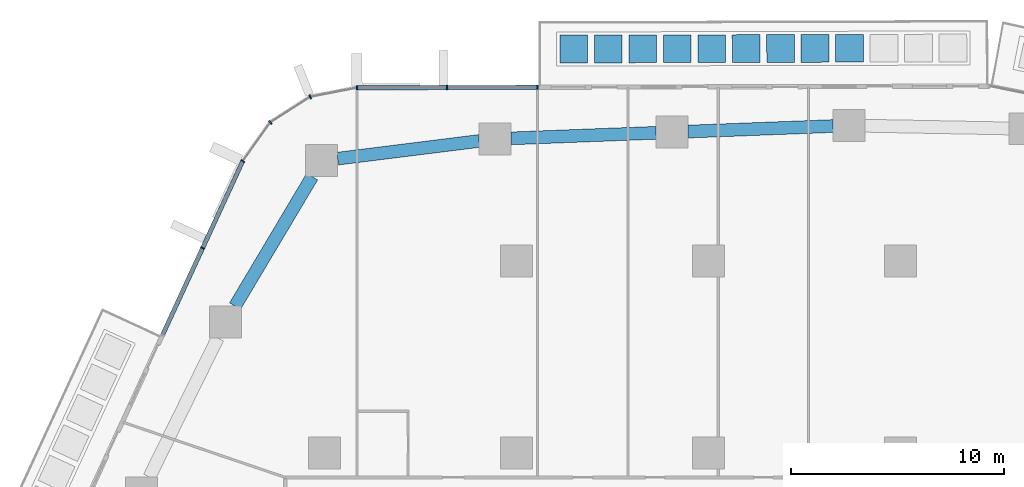
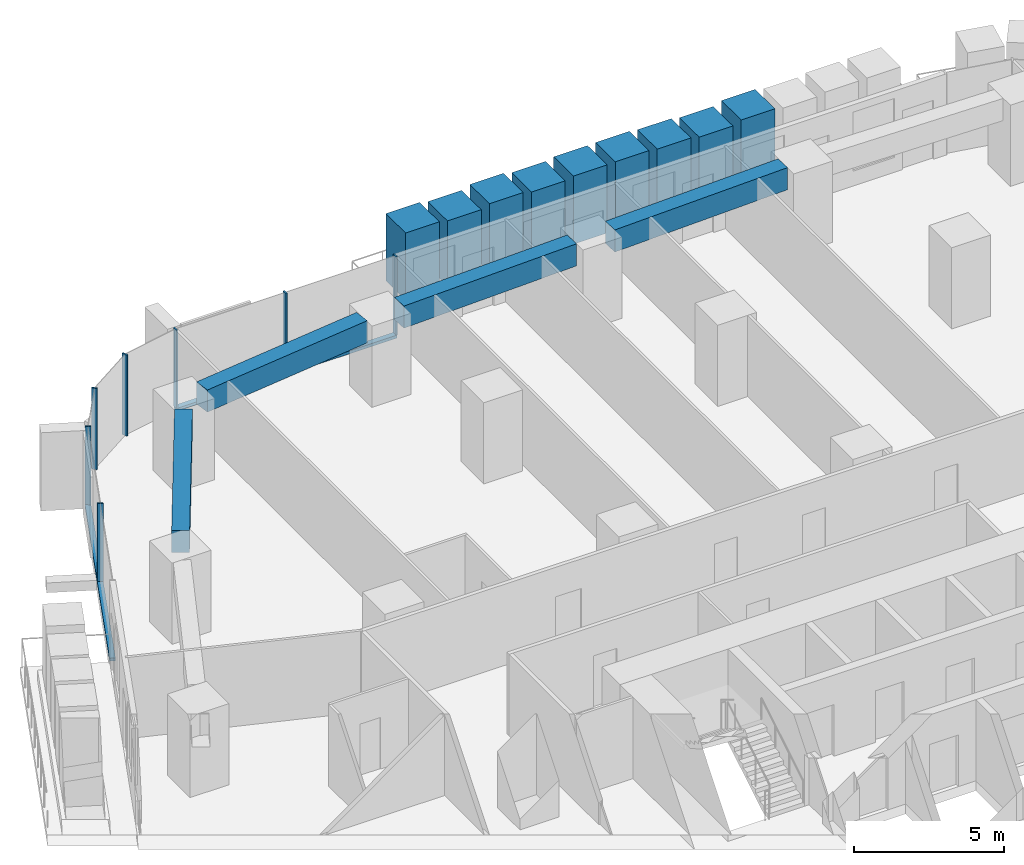
# One storey, part 9 of 27: 18 members, 4 beams, 3 elements without a shape of their own.
"""IFC4 building model written with IfcOpenShell, lengths in metres."""

from ifc_helpers import new_model, si_unit, direction, frame, origin, origin_2d, place, context, subcontext, project, spatial, rectangle, extrude, material, layer, layer_set, material_profile, profile_set, type_object, element, aggregate, save


model = new_model("IFC4")

# Units and contexts
model_context = context("Model", 3, precision=1e-05, world=origin(), true_north=direction((0.0, 1.0)))
body_context = subcontext(model_context, "Body", "Model", "MODEL_VIEW")
ifc_project = project(units=[si_unit("LENGTHUNIT", "METRE"), si_unit("AREAUNIT", "SQUARE_METRE"), si_unit("VOLUMEUNIT", "CUBIC_METRE"), si_unit("PLANEANGLEUNIT", "RADIAN"), si_unit("MASSUNIT", "GRAM", prefix="KILO")], contexts=[model_context])

# Site, building, storey
site_placement = place(None, origin())
site = spatial("IfcSite", under=ifc_project, at=site_placement, CompositionType="ELEMENT")
building_placement = place(site_placement, origin())
building = spatial("IfcBuilding", under=site, at=building_placement, Name="Dongbaek Canopy Tower", CompositionType="ELEMENT")
storey_placement = place(building_placement, frame((0.0, 0.0, 58.800048828125)))
storey = spatial("IfcBuildingStorey", under=building, at=storey_placement, Name="L10", CompositionType="ELEMENT", Elevation=58.800048828125)

# Curtain wall, members
ifc_material_1 = material(Name="Aluminium 6063-T6 pale anodised", Category="aluminium")
ifc_layer = layer(ifc_material_1, 0.199951171875)
ifc_layer_set = layer_set([ifc_layer], Name="CW-1 unitised tower curtain wall")
curtain_wall_type = type_object("IfcCurtainWallType", Name="CW-1 unitised tower curtain wall", PredefinedType="NOTDEFINED", material=ifc_layer_set)
curtain_wall_1_placement = place(storey_placement, origin())
curtain_wall_1 = element("IfcCurtainWall", 1, at=curtain_wall_1_placement, inside=storey, type_object=curtain_wall_type, Name="CW-1 curtain wall F1.1", PredefinedType="NOTDEFINED")
ifc_material_2 = material(Name="Aluminium 6063-T6 pale anodised", Category="aluminium")
ifc_material_profile_1 = material_profile(ifc_material_2, rectangle(XDim=0.199951171875, YDim=0.06005859375, at=origin_2d()), Name="CW-1 mullion 60 x 200")
ifc_profile_set_1 = profile_set([ifc_material_profile_1], Name="Aluminium 6063-T6 pale anodised")
member_type_1 = type_object("IfcMemberType", Name="CW-1 mullion 60 x 200", PredefinedType="MULLION", material=ifc_profile_set_1)
member_1_placement = place(storey_placement, frame((-8.0205078125, 35.13623046875, 0.119873046875), z_axis=(0.0, 0.0, 1.0), x_axis=(-0.002665570299, 0.999996447361, 0.0)))
member_1 = element("IfcMember", 2, at=member_1_placement, type_object=member_type_1, Name="CW-1 mullion F1.1.1", PredefinedType="MULLION", context=body_context, shape_type="SweptSolid", body=[
    extrude(rectangle(XDim=0.199951171875, YDim=0.06005859375, at=origin_2d()), origin(), (0.0, 0.0, 1.0), 3.18017578125),
])
member_2_placement = place(storey_placement, frame((-12.258056640625, 35.124755859375, 0.119873046875), z_axis=(0.0, 0.0, 1.0), x_axis=(-0.002665570299, 0.999996447361, 0.0)))
member_2 = element("IfcMember", 3, at=member_2_placement, type_object=member_type_1, Name="CW-1 mullion F1.1.2", PredefinedType="MULLION", context=body_context, shape_type="SweptSolid", body=[
    extrude(rectangle(XDim=0.199951171875, YDim=0.06005859375, at=origin_2d()), origin(), (0.0, 0.0, 1.0), 3.18017578125),
])
member_3_placement = place(storey_placement, frame((-16.486083984375, 35.113525390625, 0.119873046875), z_axis=(0.0, 0.0, 1.0), x_axis=(-0.002665570299, 0.999996447361, 0.0)))
member_3 = element("IfcMember", 4, at=member_3_placement, type_object=member_type_1, Name="CW-1 mullion F1.1.3", PredefinedType="MULLION", context=body_context, shape_type="SweptSolid", body=[
    extrude(rectangle(XDim=0.199951171875, YDim=0.06005859375, at=origin_2d()), origin(), (0.0, 0.0, 1.0), 3.18017578125),
])

curtain_wall_2_placement = place(storey_placement, origin())
curtain_wall_2 = element("IfcCurtainWall", 5, at=curtain_wall_2_placement, inside=storey, type_object=curtain_wall_type, Name="CW-1 curtain wall K2.1", PredefinedType="NOTDEFINED")
member_4_placement = place(storey_placement, frame((-18.6748046875, 34.68798828125, 0.0), z_axis=(0.0, 0.0, 1.0), x_axis=(-0.372155776445, 0.928170285055, 0.0)))
member_4 = element("IfcMember", 6, at=member_4_placement, type_object=member_type_1, Name="CW-1 mullion K2.1.2", PredefinedType="MULLION", context=body_context, shape_type="SweptSolid", body=[
    extrude(rectangle(XDim=0.199951171875, YDim=0.06005859375, at=origin_2d()), origin(), (0.0, 0.0, 1.0), 3.300048828125),
])
member_5_placement = place(storey_placement, frame((-20.543212890625, 33.48876953125, 0.0), z_axis=(0.0, 0.0, 1.0), x_axis=(-0.688918204153, 0.7248390911, 0.0)))
member_5 = element("IfcMember", 7, at=member_5_placement, type_object=member_type_1, Name="CW-1 mullion K2.1.3", PredefinedType="MULLION", context=body_context, shape_type="SweptSolid", body=[
    extrude(rectangle(XDim=0.199951171875, YDim=0.06005859375, at=origin_2d()), origin(), (0.0, 0.0, 1.0), 3.300048828125),
])
member_6_placement = place(storey_placement, frame((-21.84130859375, 31.676025390625, 0.0), z_axis=(0.0, 0.0, 1.0), x_axis=(-0.813024440327, 0.58222955905, 0.0)))
member_6 = element("IfcMember", 8, at=member_6_placement, type_object=member_type_1, Name="CW-1 mullion K2.1.4", PredefinedType="MULLION", context=body_context, shape_type="SweptSolid", body=[
    extrude(rectangle(XDim=0.199951171875, YDim=0.06005859375, at=origin_2d()), origin(), (0.0, 0.0, 1.0), 3.300048828125),
])
aggregate(curtain_wall_2, [member_4, member_5, member_6])

# Curtain wall, member
curtain_wall_3_placement = place(storey_placement, origin())
curtain_wall_3 = element("IfcCurtainWall", 9, at=curtain_wall_3_placement, inside=storey, type_object=curtain_wall_type, Name="CW-1 curtain wall F2.1", PredefinedType="NOTDEFINED")
member_7_placement = place(storey_placement, frame((-23.71923828125, 27.604248046875, 0.119873046875), z_axis=(0.0, 0.0, 1.0), x_axis=(-0.908073315942, 0.418811237761, 0.0)))
member_7 = element("IfcMember", 10, at=member_7_placement, type_object=member_type_1, Name="CW-1 mullion F2.1.2", PredefinedType="MULLION", context=body_context, shape_type="SweptSolid", body=[
    extrude(rectangle(XDim=0.199951171875, YDim=0.06005859375, at=origin_2d()), origin(), (0.0, 0.0, 1.0), 3.18017578125),
])

# Member
ifc_material_3 = material(Name="Aluminium 6063-T6 pale anodised", Category="aluminium")
ifc_material_profile_2 = material_profile(ifc_material_3, rectangle(XDim=0.199951171875, YDim=0.1201171875, at=origin_2d()), Name="CW-1 transom 120 x 200")
ifc_profile_set_2 = profile_set([ifc_material_profile_2], Name="Aluminium 6063-T6 pale anodised")
member_type_2 = type_object("IfcMemberType", Name="CW-1 transom 120 x 200", PredefinedType="USERDEFINED", material=ifc_profile_set_2)
member_8_placement = place(storey_placement, frame((-8.0205078125, 35.13623046875, 0.06005859375), z_axis=(-0.99999640333, -0.002682037938, 0.0), x_axis=(0.002682037938, -0.99999640333, 0.0)))
member_8 = element("IfcMember", 11, at=member_8_placement, type_object=member_type_2, Name="CW-1 transom F1.1.1", ObjectType="TRANSOM", PredefinedType="USERDEFINED", context=body_context, shape_type="SweptSolid", body=[
    extrude(rectangle(XDim=0.199951171875, YDim=0.1201171875, at=origin_2d()), origin(), (0.0, 0.0, 1.0), 8.465576171875),
])

aggregate(curtain_wall_1, [member_1, member_2, member_3, member_8])

member_9_placement = place(storey_placement, frame((-21.84130859375, 31.676025390625, 0.06005859375), z_axis=(-0.418816716201, -0.908070789218, 0.0), x_axis=(0.908070789218, -0.418816716201, 0.0)))
member_9 = element("IfcMember", 12, at=member_9_placement, type_object=member_type_2, Name="CW-1 transom F2.1.1", ObjectType="TRANSOM", PredefinedType="USERDEFINED", context=body_context, shape_type="SweptSolid", body=[
    extrude(rectangle(XDim=0.199951171875, YDim=0.1201171875, at=origin_2d()), origin(), (0.0, 0.0, 1.0), 8.97705078125),
])

aggregate(curtain_wall_3, [member_7, member_9])

# Beams
ifc_material_4 = material(Name="Concrete C80", Category="concrete")
ifc_material_profile_3 = material_profile(ifc_material_4, rectangle(XDim=0.60009765625, YDim=0.89990234375, at=origin_2d()), Name="RC EDGE BEAM 600x900 C80")
ifc_profile_set_3 = profile_set([ifc_material_profile_3], Name="Concrete C80")
beam_type = type_object("IfcBeamType", Name="RC EDGE BEAM 600x900 C80", PredefinedType="BEAM", material=ifc_profile_set_3)
beam_1_placement = place(storey_placement, frame((-22.201416015625, 24.875, 2.849853515625), z_axis=(0.511536684445, 0.859261438951, 0.0), x_axis=(-0.859261438951, 0.511536684445, 0.0)))
element("IfcBeam", 13, at=beam_1_placement, inside=storey, type_object=beam_type, Name="EDGEBEAM:L10:12", PredefinedType="BEAM", context=body_context, shape_type="SweptSolid", body=[
    extrude(rectangle(XDim=0.60009765625, YDim=0.89990234375, at=origin_2d()), origin(), (0.0, 0.0, 1.0), 7.06884765625),
])
beam_2_placement = place(storey_placement, frame((-17.388916015625, 31.79248046875, 2.849853515625), z_axis=(0.992300337098, 0.123854919137, 0.0), x_axis=(-0.123854919137, 0.992300337098, 0.0)))
element("IfcBeam", 14, at=beam_2_placement, inside=storey, type_object=beam_type, Name="EDGEBEAM:L10:13", PredefinedType="BEAM", context=body_context, shape_type="SweptSolid", body=[
    extrude(rectangle(XDim=0.60009765625, YDim=0.89990234375, at=origin_2d()), origin(), (0.0, 0.0, 1.0), 6.684326171875),
])
beam_3_placement = place(storey_placement, frame((-9.256103515625, 32.74267578125, 2.849853515625), z_axis=(0.999265250645, 0.038326999019, 0.0), x_axis=(-0.038326999019, 0.999265250645, 0.0)))
element("IfcBeam", 15, at=beam_3_placement, inside=storey, type_object=beam_type, Name="EDGEBEAM:L10:14", PredefinedType="BEAM", context=body_context, shape_type="SweptSolid", body=[
    extrude(rectangle(XDim=0.60009765625, YDim=0.89990234375, at=origin_2d()), origin(), (0.0, 0.0, 1.0), 6.802978515625),
])
beam_4_placement = place(storey_placement, frame((-0.9580078125, 33.060791015625, 2.849853515625), z_axis=(0.99927189778, 0.038153300073, 0.0), x_axis=(-0.038153300073, 0.99927189778, 0.0)))
element("IfcBeam", 16, at=beam_4_placement, inside=storey, type_object=beam_type, Name="EDGEBEAM:L10:15", PredefinedType="BEAM", context=body_context, shape_type="SweptSolid", body=[
    extrude(rectangle(XDim=0.60009765625, YDim=0.89990234375, at=origin_2d()), origin(), (0.0, 0.0, 1.0), 6.802001953125),
])

# Members
ifc_material_5 = material(Name="Concrete C40/50 planter mass with planting", Category="concrete")
ifc_material_profile_4 = material_profile(ifc_material_5, rectangle(XDim=1.300048828125, YDim=1.300048828125, at=origin_2d()), Name="Terrace PLANTER shrub mass 1300 x 1300")
ifc_profile_set_4 = profile_set([ifc_material_profile_4], Name="Concrete C40/50 planter mass with planting")
member_type_3 = type_object("IfcMemberType", Name="Terrace PLANTER shrub mass 1300 x 1300", PredefinedType="USERDEFINED", material=ifc_profile_set_4)
member_10_placement = place(storey_placement, frame((6.607666015625, 36.965087890625, 0.419921875), z_axis=(0.0, 0.0, 1.0), x_axis=(-0.002665570299, 0.999996447361, 0.0)))
element("IfcMember", 17, at=member_10_placement, inside=storey, type_object=member_type_3, Name="Planter shrubs L10 2.4", ObjectType="PLANTER", PredefinedType="USERDEFINED", context=body_context, shape_type="SweptSolid", body=[
    extrude(rectangle(XDim=1.300048828125, YDim=1.300048828125, at=origin_2d()), origin(), (0.0, 0.0, 1.0), 2.780029296875),
])
member_11_placement = place(storey_placement, frame((4.991943359375, 36.9609375, 0.419921875), z_axis=(0.0, 0.0, 1.0), x_axis=(-0.002665570299, 0.999996447361, 0.0)))
element("IfcMember", 18, at=member_11_placement, inside=storey, type_object=member_type_3, Name="Planter shrubs L10 2.5", ObjectType="PLANTER", PredefinedType="USERDEFINED", context=body_context, shape_type="SweptSolid", body=[
    extrude(rectangle(XDim=1.300048828125, YDim=1.300048828125, at=origin_2d()), origin(), (0.0, 0.0, 1.0), 2.650146484375),
])
member_12_placement = place(storey_placement, frame((3.37646484375, 36.95654296875, 0.419921875), z_axis=(0.0, 0.0, 1.0), x_axis=(-0.002665570299, 0.999996447361, 0.0)))
element("IfcMember", 19, at=member_12_placement, inside=storey, type_object=member_type_3, Name="Planter shrubs L10 2.6", ObjectType="PLANTER", PredefinedType="USERDEFINED", context=body_context, shape_type="SweptSolid", body=[
    extrude(rectangle(XDim=1.300048828125, YDim=1.300048828125, at=origin_2d()), origin(), (0.0, 0.0, 1.0), 2.72998046875),
])
member_13_placement = place(storey_placement, frame((1.7607421875, 36.9521484375, 0.419921875), z_axis=(0.0, 0.0, 1.0), x_axis=(-0.002665570299, 0.999996447361, 0.0)))
element("IfcMember", 20, at=member_13_placement, inside=storey, type_object=member_type_3, Name="Planter shrubs L10 2.7", ObjectType="PLANTER", PredefinedType="USERDEFINED", context=body_context, shape_type="SweptSolid", body=[
    extrude(rectangle(XDim=1.300048828125, YDim=1.300048828125, at=origin_2d()), origin(), (0.0, 0.0, 1.0), 2.780029296875),
])
member_14_placement = place(storey_placement, frame((0.14501953125, 36.947998046875, 0.419921875), z_axis=(0.0, 0.0, 1.0), x_axis=(-0.002665570299, 0.999996447361, 0.0)))
element("IfcMember", 21, at=member_14_placement, inside=storey, type_object=member_type_3, Name="Planter shrubs L10 2.8", ObjectType="PLANTER", PredefinedType="USERDEFINED", context=body_context, shape_type="SweptSolid", body=[
    extrude(rectangle(XDim=1.300048828125, YDim=1.300048828125, at=origin_2d()), origin(), (0.0, 0.0, 1.0), 2.77001953125),
])
member_15_placement = place(storey_placement, frame((-1.470458984375, 36.943603515625, 0.419921875), z_axis=(0.0, 0.0, 1.0), x_axis=(-0.002665570299, 0.999996447361, 0.0)))
element("IfcMember", 22, at=member_15_placement, inside=storey, type_object=member_type_3, Name="Planter shrubs L10 2.9", ObjectType="PLANTER", PredefinedType="USERDEFINED", context=body_context, shape_type="SweptSolid", body=[
    extrude(rectangle(XDim=1.300048828125, YDim=1.300048828125, at=origin_2d()), origin(), (0.0, 0.0, 1.0), 2.68994140625),
])
member_16_placement = place(storey_placement, frame((-3.086181640625, 36.939208984375, 0.419921875), z_axis=(0.0, 0.0, 1.0), x_axis=(-0.002665570299, 0.999996447361, 0.0)))
element("IfcMember", 23, at=member_16_placement, inside=storey, type_object=member_type_3, Name="Planter shrubs L10 2.10", ObjectType="PLANTER", PredefinedType="USERDEFINED", context=body_context, shape_type="SweptSolid", body=[
    extrude(rectangle(XDim=1.300048828125, YDim=1.300048828125, at=origin_2d()), origin(), (0.0, 0.0, 1.0), 2.780029296875),
])
member_17_placement = place(storey_placement, frame((-4.701904296875, 36.93505859375, 0.419921875), z_axis=(0.0, 0.0, 1.0), x_axis=(-0.002665570299, 0.999996447361, 0.0)))
element("IfcMember", 24, at=member_17_placement, inside=storey, type_object=member_type_3, Name="Planter shrubs L10 2.11", ObjectType="PLANTER", PredefinedType="USERDEFINED", context=body_context, shape_type="SweptSolid", body=[
    extrude(rectangle(XDim=1.300048828125, YDim=1.300048828125, at=origin_2d()), origin(), (0.0, 0.0, 1.0), 2.650146484375),
])
member_18_placement = place(storey_placement, frame((-6.3173828125, 36.9306640625, 0.419921875), z_axis=(0.0, 0.0, 1.0), x_axis=(-0.002665570299, 0.999996447361, 0.0)))
element("IfcMember", 25, at=member_18_placement, inside=storey, type_object=member_type_3, Name="Planter shrubs L10 2.12", ObjectType="PLANTER", PredefinedType="USERDEFINED", context=body_context, shape_type="SweptSolid", body=[
    extrude(rectangle(XDim=1.300048828125, YDim=1.300048828125, at=origin_2d()), origin(), (0.0, 0.0, 1.0), 2.72998046875),
])

save(model, "model.ifc")
